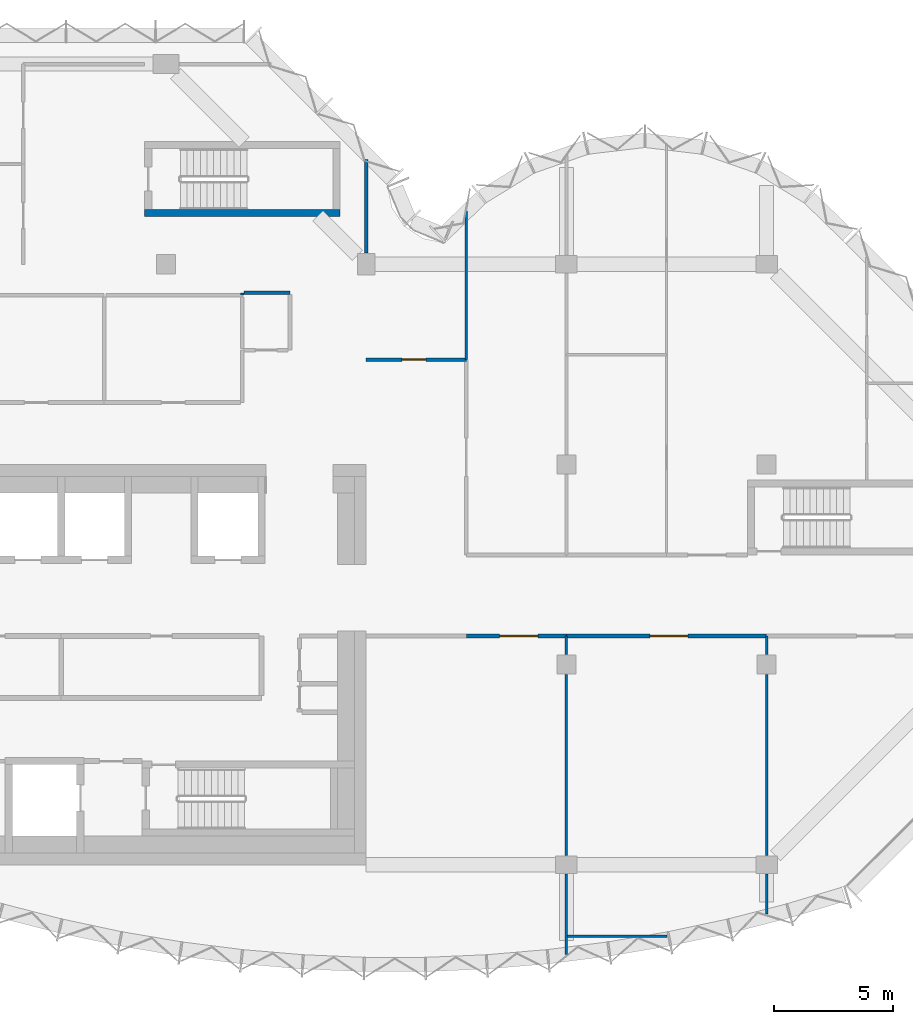
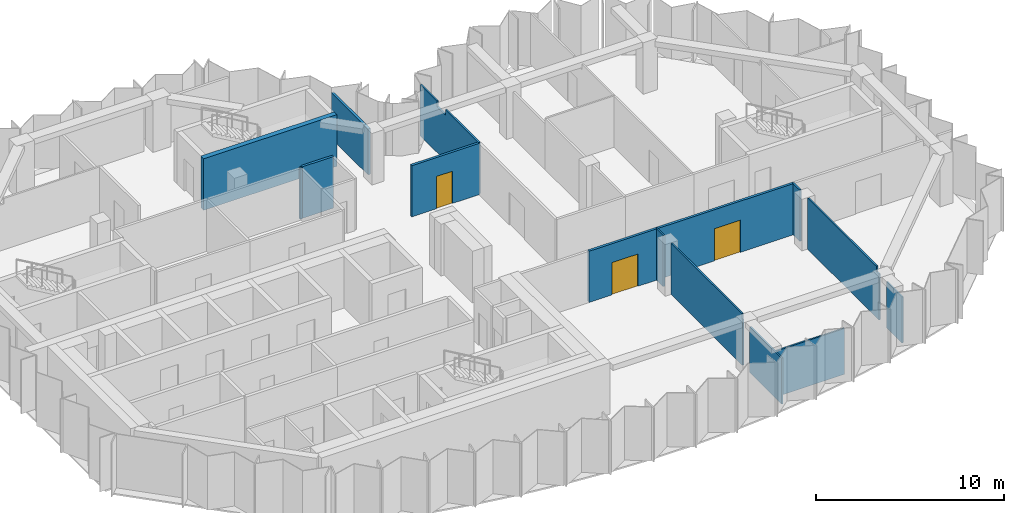
# One storey, part 6 of 10: 15 walls, 3 doors, 3 openings.
"""IFC4 building model written with IfcOpenShell, lengths in metres."""

from ifc_helpers import new_model, si_unit, direction, frame, frame_2d, origin, place, context, subcontext, project, spatial, polyline, rectangle, outline, extrude, material, layer, layer_set, type_object, element, fill, save


model = new_model("IFC4")

# Units and contexts
model_context = context("Model", 3, precision=1e-05, world=origin(), true_north=direction((0.0, 1.0)))
body_context = subcontext(model_context, "Body", "Model", "MODEL_VIEW")
ifc_project = project(units=[si_unit("LENGTHUNIT", "METRE"), si_unit("AREAUNIT", "SQUARE_METRE"), si_unit("VOLUMEUNIT", "CUBIC_METRE"), si_unit("PLANEANGLEUNIT", "RADIAN"), si_unit("MASSUNIT", "GRAM", prefix="KILO")], contexts=[model_context])

# Site, building, storey
site_placement = place(None, origin())
site = spatial("IfcSite", under=ifc_project, at=site_placement, CompositionType="ELEMENT")
building_placement = place(site_placement, origin())
building = spatial("IfcBuilding", under=site, at=building_placement, Name="Brevane Broadcast Tower", CompositionType="ELEMENT")
storey_placement = place(building_placement, frame((0.0, 0.0, 230.10009765625)))
storey = spatial("IfcBuildingStorey", under=building, at=storey_placement, Name="L58", CompositionType="ELEMENT", Elevation=230.10009765625)

# Walls
ifc_material_1 = material(Name="Gypsum board on steel studs", Category="steel")
ifc_layer_1 = layer(ifc_material_1, 0.14990234375)
ifc_layer_set_1 = layer_set([ifc_layer_1], Name="Core fire partition 150 mm")
wall_type_1 = type_object("IfcWallType", Name="Core fire partition 150 mm", PredefinedType="PARTITIONING", material=ifc_layer_set_1)
wall_1_placement = place(storey_placement, frame((20.0, 23.89990234375, 0.0), z_axis=(0.0, 0.0, 1.0), x_axis=(0.0, 1.0, 0.0)))
element("IfcWall", 1, at=wall_1_placement, inside=storey, type_object=wall_type_1, Name="L58 partition wall P30", PredefinedType="PARTITIONING", context=body_context, shape_type="SweptSolid", body=[
    extrude(rectangle(XDim=0.10009765625, YDim=0.14990234375, at=frame_2d((0.050048828125, 0.0))), origin(), (0.0, 0.0, 1.0), 3.349853515625),
])
wall_2_placement = place(storey_placement, frame((20.074951171875, 24.0, 0.0), z_axis=(0.0, 0.0, 1.0), x_axis=(1.0, 0.0, 0.0)))
element("IfcWall", 2, at=wall_2_placement, inside=storey, type_object=wall_type_1, Name="L58 partition wall P31", PredefinedType="PARTITIONING", context=body_context, shape_type="SweptSolid", body=[
    extrude(rectangle(XDim=1.925048828125, YDim=0.14990234375, at=frame_2d((0.96240234375, 0.0))), origin(), (0.0, 0.0, 1.0), 3.349853515625),
])
ifc_material_2 = material(Name="Concrete C50/60", Category="concrete")
ifc_layer_2 = layer(ifc_material_2, 0.300048828125)
ifc_layer_set_2 = layer_set([ifc_layer_2], Name="Core wall 300 mm C50/60")
wall_type_2 = type_object("IfcWallType", Name="Core wall 300 mm C50/60", PredefinedType="SHEAR", material=ifc_layer_set_2)
wall_3_placement = place(storey_placement, frame((15.89990234375, 27.35009765625, 0.0), z_axis=(0.0, 0.0, 1.0), x_axis=(1.0, 0.0, 0.0)))
element("IfcWall", 3, at=wall_3_placement, inside=storey, type_object=wall_type_2, Name="L58 stair wall ST-3-S", PredefinedType="SHEAR", context=body_context, shape_type="SweptSolid", body=[
    extrude(rectangle(XDim=8.2001953125, YDim=0.300048828125, at=frame_2d((4.10009765625, 0.0))), origin(), (0.0, 0.0, 1.0), 3.349853515625),
])
ifc_material_3 = material(Name="Gypsum board partition")
ifc_layer_3 = layer(ifc_material_3, 0.10009765625)
ifc_layer_set_3 = layer_set([ifc_layer_3], Name="PARTITION 100 STUD")
wall_type_3 = type_object("IfcWallType", Name="PARTITION 100 STUD", PredefinedType="PARTITIONING", material=ifc_layer_set_3)
wall_4_placement = place(storey_placement, frame((29.39990234375, 27.428955078125, 0.0), z_axis=(0.0, 0.0, 1.0), x_axis=(0.0, -1.0, 0.0)))
element("IfcWall", 4, at=wall_4_placement, inside=storey, type_object=wall_type_3, Name="Partition G18-004", PredefinedType="PARTITIONING", context=body_context, shape_type="SweptSolid", body=[
    extrude(outline(polyline([(0.0, 0.0), (6.22900390625, 0.0), (6.22900390625, 3.329833984375), (2.678955078125, 3.329833984375), (2.677001953125, 2.97998046875), (1.781005859375, 2.97998046875), (1.779052734375, 3.329833984375), (0.154052734375, 3.329833984375), (0.0, 3.329833984375), (0.0, 0.0)])), frame((0.0, 0.050048828125, 0.0), z_axis=(0.0, -1.0, 0.0), x_axis=(1.0, 0.0, 0.0)), (0.0, 0.0, 1.0), 0.10009765625),
])
wall_5_placement = place(storey_placement, frame((33.60009765625, 9.60009765625, 0.0), z_axis=(0.0, 0.0, 1.0), x_axis=(0.0, -1.0, 0.0)))
element("IfcWall", 5, at=wall_5_placement, inside=storey, type_object=wall_type_3, Name="Partition G18-013", PredefinedType="PARTITIONING", context=body_context, shape_type="SweptSolid", body=[
    extrude(rectangle(XDim=0.780029296875, YDim=0.10009765625, at=frame_2d((0.39013671875, 0.0))), origin(), (0.0, 0.0, 1.0), 3.329833984375),
])
wall_6_placement = place(storey_placement, frame((33.60009765625, 7.97998046875, 0.0), z_axis=(0.0, 0.0, 1.0), x_axis=(0.0, -1.0, 0.0)))
element("IfcWall", 6, at=wall_6_placement, inside=storey, type_object=wall_type_3, Name="Partition G18-014", PredefinedType="PARTITIONING", context=body_context, shape_type="SweptSolid", body=[
    extrude(outline(polyline([(0.0, 0.0), (7.5849609375, 0.0), (7.5849609375, 2.97998046875), (7.531982421875, 2.97998046875), (7.530029296875, 3.329833984375), (0.0, 3.329833984375), (0.0, 0.0)])), frame((0.0, 0.050048828125, 0.0), z_axis=(0.0, -1.0, 0.0), x_axis=(1.0, 0.0, 0.0)), (0.0, 0.0, 1.0), 0.10009765625),
])
wall_7_placement = place(storey_placement, frame((33.60009765625, -0.39501953125, 0.0), z_axis=(0.0, 0.0, 1.0), x_axis=(0.0, -1.0, 0.0)))
element("IfcWall", 7, at=wall_7_placement, inside=storey, type_object=wall_type_3, Name="Partition G18-015", PredefinedType="PARTITIONING", context=body_context, shape_type="SweptSolid", body=[
    extrude(rectangle(XDim=3.377197265625, YDim=0.10009765625, at=frame_2d((1.6884765625, 0.0))), origin(), (0.0, 0.0, 1.0), 2.97998046875),
])
wall_8_placement = place(storey_placement, frame((33.60009765625, -3.0, 0.0), z_axis=(0.0, 0.0, 1.0), x_axis=(1.0, 0.0, 0.0)))
element("IfcWall", 8, at=wall_8_placement, inside=storey, type_object=wall_type_3, Name="Partition G18-016", PredefinedType="PARTITIONING", context=body_context, shape_type="SweptSolid", body=[
    extrude(rectangle(XDim=4.230712890625, YDim=0.10009765625, at=frame_2d((2.115234375, 0.0))), origin(), (0.0, 0.0, 1.0), 2.97998046875),
])
wall_9_placement = place(storey_placement, frame((42.0, 9.60009765625, 0.0), z_axis=(0.0, 0.0, 1.0), x_axis=(0.0, -1.0, 0.0)))
element("IfcWall", 9, at=wall_9_placement, inside=storey, type_object=wall_type_3, Name="Partition G18-017", PredefinedType="PARTITIONING", context=body_context, shape_type="SweptSolid", body=[
    extrude(rectangle(XDim=0.780029296875, YDim=0.10009765625, at=frame_2d((0.39013671875, 0.0))), origin(), (0.0, 0.0, 1.0), 3.329833984375),
])
wall_10_placement = place(storey_placement, frame((42.0, 7.97998046875, 0.0), z_axis=(0.0, 0.0, 1.0), x_axis=(0.0, -1.0, 0.0)))
element("IfcWall", 10, at=wall_10_placement, inside=storey, type_object=wall_type_3, Name="Partition G18-018", PredefinedType="PARTITIONING", context=body_context, shape_type="SweptSolid", body=[
    extrude(outline(polyline([(0.0, 0.0), (7.5849609375, 0.0), (7.5849609375, 2.97998046875), (7.31640625, 2.97998046875), (7.314208984375, 3.329833984375), (0.0, 3.329833984375), (0.0, 0.0)])), frame((0.0, 0.050048828125, 0.0), z_axis=(0.0, -1.0, 0.0), x_axis=(1.0, 0.0, 0.0)), (0.0, 0.0, 1.0), 0.10009765625),
])
wall_11_placement = place(storey_placement, frame((42.0, -0.39501953125, 0.0), z_axis=(0.0, 0.0, 1.0), x_axis=(0.0, -1.0, 0.0)))
element("IfcWall", 11, at=wall_11_placement, inside=storey, type_object=wall_type_3, Name="Partition G18-019", PredefinedType="PARTITIONING", context=body_context, shape_type="SweptSolid", body=[
    extrude(rectangle(XDim=1.673828125, YDim=0.10009765625, at=frame_2d((0.8369140625, 0.0))), origin(), (0.0, 0.0, 1.0), 2.97998046875),
])

# Wall, opening, door
ifc_layer_4 = layer(ifc_material_3, 0.14990234375)
ifc_layer_set_4 = layer_set([ifc_layer_4], Name="PARTITION 150 EI 60")
wall_type_4 = type_object("IfcWallType", Name="PARTITION 150 EI 60", PredefinedType="PARTITIONING", material=ifc_layer_set_4)
wall_12_placement = place(storey_placement, frame((25.199951171875, 21.199951171875, 0.0), z_axis=(0.0, 0.0, 1.0), x_axis=(1.0, 0.0, 0.0)))
wall_12 = element("IfcWall", 12, at=wall_12_placement, inside=storey, type_object=wall_type_4, Name="Partition G18-001", PredefinedType="PARTITIONING", context=body_context, shape_type="SweptSolid", body=[
    extrude(rectangle(XDim=4.199951171875, YDim=0.14990234375, at=frame_2d((2.10009765625, 0.0))), origin(), (0.0, 0.0, 1.0), 3.329833984375),
])
opening_1_placement = place(wall_12_placement, frame((1.5, 0.0, 0.0)))
opening_1 = element("IfcOpeningElement", 13, at=opening_1_placement, cuts=wall_12, Name="Opening D29-001", PredefinedType="OPENING", context=body_context, shape_type="SweptSolid", body=[
    extrude(rectangle(XDim=1.0, YDim=2.10009765625, at=frame_2d((0.5, 1.050048828125))), frame((0.0, 0.0849609375, 0.0), z_axis=(0.0, -1.0, 0.0), x_axis=(1.0, 0.0, 0.0)), (0.0, 0.0, 1.0), 0.169921875),
])
ifc_material_4 = material(Name="Fire-rated timber door leaf", Category="wood")
door_type_1 = type_object("IfcDoorType", Name="DOOR SINGLE 1000 FD30S", OperationType="SINGLE_SWING_LEFT", PredefinedType="DOOR", material=ifc_material_4)
door_1_placement = place(opening_1_placement, origin())
door_1 = element("IfcDoor", 14, at=door_1_placement, inside=storey, type_object=door_type_1, Name="Door D29-001", OperationType="SINGLE_SWING_LEFT", OverallHeight=2.10009765625, OverallWidth=1.0, PredefinedType="DOOR", context=body_context, shape_type="SweptSolid", body=[
    extrude(rectangle(XDim=1.0, YDim=2.10009765625, at=frame_2d((0.5, 1.050048828125))), frame((0.0, 0.02490234375, 0.0), z_axis=(0.0, -1.0, 0.0), x_axis=(1.0, 0.0, 0.0)), (0.0, 0.0, 1.0), 0.050048828125),
])
fill(opening_1, door_1)

# Wall
wall_13_placement = place(storey_placement, frame((25.199951171875, 25.669921875, 0.0), z_axis=(0.0, 0.0, 1.0), x_axis=(0.0, 1.0, 0.0)))
element("IfcWall", 15, at=wall_13_placement, inside=storey, type_object=wall_type_4, Name="Partition G18-005", PredefinedType="PARTITIONING", context=body_context, shape_type="SweptSolid", body=[
    extrude(rectangle(XDim=3.93017578125, YDim=0.14990234375, at=frame_2d((1.965087890625, 0.0))), origin(), (0.0, 0.0, 1.0), 2.97998046875),
])

# Wall, opening, door
wall_14_placement = place(storey_placement, frame((33.60009765625, 9.60009765625, 0.0), z_axis=(0.0, 0.0, 1.0), x_axis=(-1.0, 0.0, 0.0)))
wall_14 = element("IfcWall", 16, at=wall_14_placement, inside=storey, type_object=wall_type_4, Name="Partition G18-006", PredefinedType="PARTITIONING", context=body_context, shape_type="SweptSolid", body=[
    extrude(rectangle(XDim=4.2001953125, YDim=0.14990234375, at=frame_2d((2.10009765625, 0.0))), origin(), (0.0, 0.0, 1.0), 3.329833984375),
])
opening_2_placement = place(wall_14_placement, frame((1.199951171875, 0.0, 0.0)))
opening_2 = element("IfcOpeningElement", 17, at=opening_2_placement, cuts=wall_14, Name="Opening D29-002", PredefinedType="OPENING", context=body_context, shape_type="SweptSolid", body=[
    extrude(rectangle(XDim=1.60009765625, YDim=2.10009765625, at=frame_2d((0.800048828125, 1.050048828125))), frame((0.0, 0.0849609375, 0.0), z_axis=(0.0, -1.0, 0.0), x_axis=(1.0, 0.0, 0.0)), (0.0, 0.0, 1.0), 0.169921875),
])
door_type_2 = type_object("IfcDoorType", Name="DOOR DOUBLE 1600 FD30S", OperationType="DOUBLE_DOOR_SINGLE_SWING", PredefinedType="DOOR", material=ifc_material_4)
door_2_placement = place(opening_2_placement, origin())
door_2 = element("IfcDoor", 18, at=door_2_placement, inside=storey, type_object=door_type_2, Name="Door D29-002", OperationType="DOUBLE_DOOR_SINGLE_SWING", OverallHeight=2.10009765625, OverallWidth=1.60009765625, PredefinedType="DOOR", context=body_context, shape_type="SweptSolid", body=[
    extrude(rectangle(XDim=1.60009765625, YDim=2.10009765625, at=frame_2d((0.800048828125, 1.050048828125))), frame((0.0, 0.02490234375, 0.0), z_axis=(0.0, -1.0, 0.0), x_axis=(1.0, 0.0, 0.0)), (0.0, 0.0, 1.0), 0.050048828125),
])
fill(opening_2, door_2)

wall_15_placement = place(storey_placement, frame((42.0, 9.60009765625, 0.0), z_axis=(0.0, 0.0, 1.0), x_axis=(-1.0, 0.0, 0.0)))
wall_15 = element("IfcWall", 19, at=wall_15_placement, inside=storey, type_object=wall_type_4, Name="Partition G18-007", PredefinedType="PARTITIONING", context=body_context, shape_type="SweptSolid", body=[
    extrude(rectangle(XDim=8.39990234375, YDim=0.14990234375, at=frame_2d((4.199951171875, 0.0))), origin(), (0.0, 0.0, 1.0), 3.329833984375),
])
opening_3_placement = place(wall_15_placement, frame((3.300048828125, 0.0, 0.0)))
opening_3 = element("IfcOpeningElement", 20, at=opening_3_placement, cuts=wall_15, Name="Opening D29-003", PredefinedType="OPENING", context=body_context, shape_type="SweptSolid", body=[
    extrude(rectangle(XDim=1.60009765625, YDim=2.10009765625, at=frame_2d((0.800048828125, 1.050048828125))), frame((0.0, 0.0849609375, 0.0), z_axis=(0.0, -1.0, 0.0), x_axis=(1.0, 0.0, 0.0)), (0.0, 0.0, 1.0), 0.169921875),
])
door_3_placement = place(opening_3_placement, origin())
door_3 = element("IfcDoor", 21, at=door_3_placement, inside=storey, type_object=door_type_2, Name="Door D29-003", OperationType="DOUBLE_DOOR_SINGLE_SWING", OverallHeight=2.10009765625, OverallWidth=1.60009765625, PredefinedType="DOOR", context=body_context, shape_type="SweptSolid", body=[
    extrude(rectangle(XDim=1.60009765625, YDim=2.10009765625, at=frame_2d((0.800048828125, 1.050048828125))), frame((0.0, 0.02490234375, 0.0), z_axis=(0.0, -1.0, 0.0), x_axis=(1.0, 0.0, 0.0)), (0.0, 0.0, 1.0), 0.050048828125),
])
fill(opening_3, door_3)

save(model, "model.ifc")
